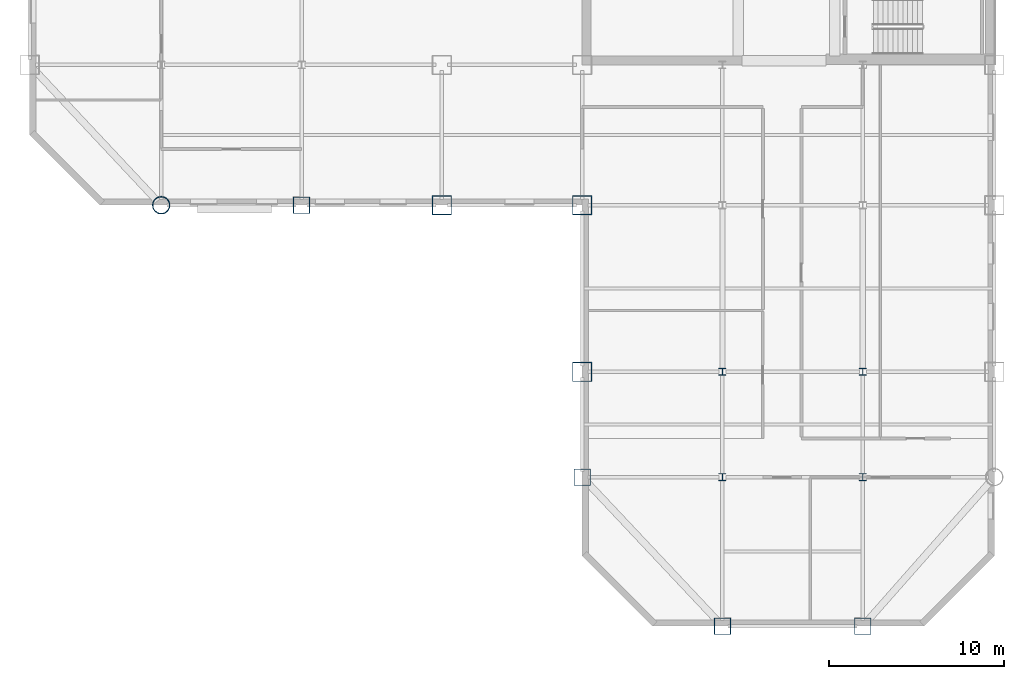
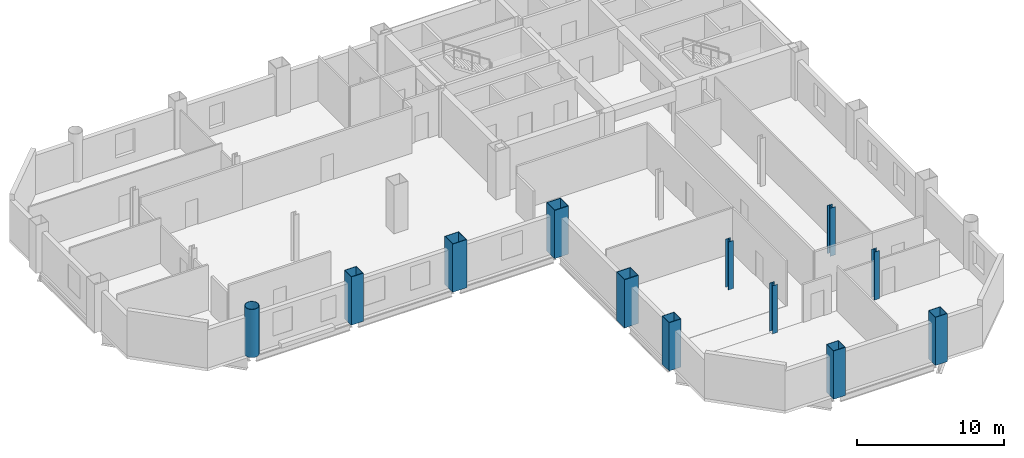
# One storey, part 1 of 9: 12 columns.
"""IFC4 building model written with IfcOpenShell, lengths in metres."""

from ifc_helpers import new_model, si_unit, direction, frame, origin, origin_2d, place, context, subcontext, project, spatial, hollow_rectangle, hollow_circle, i_section, extrude, material, material_profile, profile_set, type_object, element, save


model = new_model("IFC4")

# Units and contexts
model_context = context("Model", 3, precision=1e-05, world=origin(), true_north=direction((0.0, 1.0)))
body_context = subcontext(model_context, "Body", "Model", "MODEL_VIEW")
ifc_project = project(units=[si_unit("LENGTHUNIT", "METRE"), si_unit("AREAUNIT", "SQUARE_METRE"), si_unit("VOLUMEUNIT", "CUBIC_METRE"), si_unit("PLANEANGLEUNIT", "RADIAN"), si_unit("MASSUNIT", "GRAM", prefix="KILO")], contexts=[model_context])

# Site, building, storey
site_placement = place(None, origin())
site = spatial("IfcSite", under=ifc_project, at=site_placement, CompositionType="ELEMENT")
building_placement = place(site_placement, origin())
building = spatial("IfcBuilding", under=site, at=building_placement, Name="Qianrong Seaharbour Tower", CompositionType="ELEMENT")
storey_placement = place(building_placement, frame((0.0, 0.0, 163.0)))
storey = spatial("IfcBuildingStorey", under=building, at=storey_placement, Name="L39", CompositionType="ELEMENT", Elevation=163.0)

# Columns
ifc_material = material(Name="Structural steel SN490B", Category="steel")
ifc_material_profile_1 = material_profile(ifc_material, hollow_rectangle(XDim=1.10009765625, YDim=1.10009765625, WallThickness=0.0400390625, at=origin_2d()), Name="BOX1100x1100x40")
ifc_profile_set_1 = profile_set([ifc_material_profile_1], Name="Structural steel SN490B")
column_type_1 = type_object("IfcColumnType", Name="COL-CFT-1100", PredefinedType="COLUMN", material=ifc_profile_set_1)
for number, where, z_axis, x_axis, name in (
    (1, (32.5, 28.0, 0.0), (0.0, 0.0, 1.0), (1.0, 0.0, 0.0), "L39 Column MC-3 at G5/GE"),
    (2, (40.5, 18.5, 0.0), (0.0, 0.0, 1.0), (1.0, 0.0, 0.0), "L39 Column MC-3 at G6/GD"),
    (3, (40.5, 28.0, 0.0), (0.0, 0.0, 1.0), (1.0, 0.0, 0.0), "L39 Column MC-3 at G6/GE"),
):
    element("IfcColumn", number, at=place(storey_placement, frame(where, z_axis=z_axis, x_axis=x_axis)), inside=storey, type_object=column_type_1, Name=name, PredefinedType="COLUMN", context=body_context, shape_type="SweptSolid", body=[
        extrude(hollow_rectangle(XDim=1.10009765625, YDim=1.10009765625, WallThickness=0.0400390625, at=origin_2d()), origin(), (0.0, 0.0, 1.0), 4.0),
    ])
ifc_material_profile_2 = material_profile(ifc_material, hollow_circle(Radius=0.5, WallThickness=0.035888671875, at=origin_2d()), Name="CHS1000x36")
ifc_profile_set_2 = profile_set([ifc_material_profile_2], Name="Structural steel SN490B")
column_type_2 = type_object("IfcColumnType", Name="COL-CHS-1000", PredefinedType="COLUMN", material=ifc_profile_set_2)
column_placement = place(storey_placement, frame((16.5, 28.0, 0.0), z_axis=(0.0, 0.0, 1.0), x_axis=(1.0, 0.0, 0.0)))
element("IfcColumn", 4, at=column_placement, inside=storey, type_object=column_type_2, Name="L39 Column CC-2 at G3/GE", PredefinedType="COLUMN", context=body_context, shape_type="SweptSolid", body=[
    extrude(hollow_circle(Radius=0.5, WallThickness=0.035888671875, at=origin_2d()), origin(), (0.0, 0.0, 1.0), 4.0),
])
ifc_material_profile_3 = material_profile(ifc_material, i_section(OverallWidth=0.39990234375, OverallDepth=0.39990234375, WebThickness=0.012939453125, FlangeThickness=0.02099609375, FilletRadius=0.02197265625, at=origin_2d()), Name="H400x400x13x21")
ifc_profile_set_3 = profile_set([ifc_material_profile_3], Name="Structural steel SN490B")
column_type_3 = type_object("IfcColumnType", Name="COL-INT-H400", PredefinedType="COLUMN", material=ifc_profile_set_3)
for number, where, z_axis, x_axis, name in (
    (5, (48.5, 12.5, 0.0), (0.0, 0.0, 1.0), (1.0, 0.0, 0.0), "L39 Column IC-3 at G7/GC"),
    (6, (48.5, 18.5, 0.0), (0.0, 0.0, 1.0), (1.0, 0.0, 0.0), "L39 Column IC-3 at G7/GD"),
    (7, (56.5, 12.5, 0.0), (0.0, 0.0, 1.0), (1.0, 0.0, 0.0), "L39 Column IC-3 at G8/GC"),
    (8, (56.5, 18.5, 0.0), (0.0, 0.0, 1.0), (1.0, 0.0, 0.0), "L39 Column IC-3 at G8/GD"),
):
    element("IfcColumn", number, at=place(storey_placement, frame(where, z_axis=z_axis, x_axis=x_axis)), inside=storey, type_object=column_type_3, Name=name, PredefinedType="COLUMN", context=body_context, shape_type="SweptSolid", body=[
        extrude(i_section(OverallWidth=0.39990234375, OverallDepth=0.39990234375, WebThickness=0.012939453125, FlangeThickness=0.02099609375, FilletRadius=0.02197265625, at=origin_2d()), origin(), (0.0, 0.0, 1.0), 4.0),
    ])
ifc_material_profile_4 = material_profile(ifc_material, hollow_rectangle(XDim=0.949951171875, YDim=0.949951171875, WallThickness=0.035888671875, at=origin_2d()), Name="BOX950x950x36")
ifc_profile_set_4 = profile_set([ifc_material_profile_4], Name="Structural steel SN490B")
column_type_4 = type_object("IfcColumnType", Name="COL-PER-950", PredefinedType="COLUMN", material=ifc_profile_set_4)
for number, where, z_axis, x_axis, name in (
    (9, (24.5, 28.0, 0.0), (0.0, 0.0, 1.0), (1.0, 0.0, 0.0), "L39 Column PC-2 at G4/GE"),
    (10, (40.5, 12.5, 0.0), (0.0, 0.0, 1.0), (1.0, 0.0, 0.0), "L39 Column PC-2 at G6/GC"),
    (11, (48.5, 4.0, 0.0), (0.0, 0.0, 1.0), (1.0, 0.0, 0.0), "L39 Column PC-2 at G7/GB"),
    (12, (56.5, 4.0, 0.0), (0.0, 0.0, 1.0), (1.0, 0.0, 0.0), "L39 Column PC-2 at G8/GB"),
):
    element("IfcColumn", number, at=place(storey_placement, frame(where, z_axis=z_axis, x_axis=x_axis)), inside=storey, type_object=column_type_4, Name=name, PredefinedType="COLUMN", context=body_context, shape_type="SweptSolid", body=[
        extrude(hollow_rectangle(XDim=0.949951171875, YDim=0.949951171875, WallThickness=0.035888671875, at=origin_2d()), origin(), (0.0, 0.0, 1.0), 4.0),
    ])

save(model, "model.ifc")
